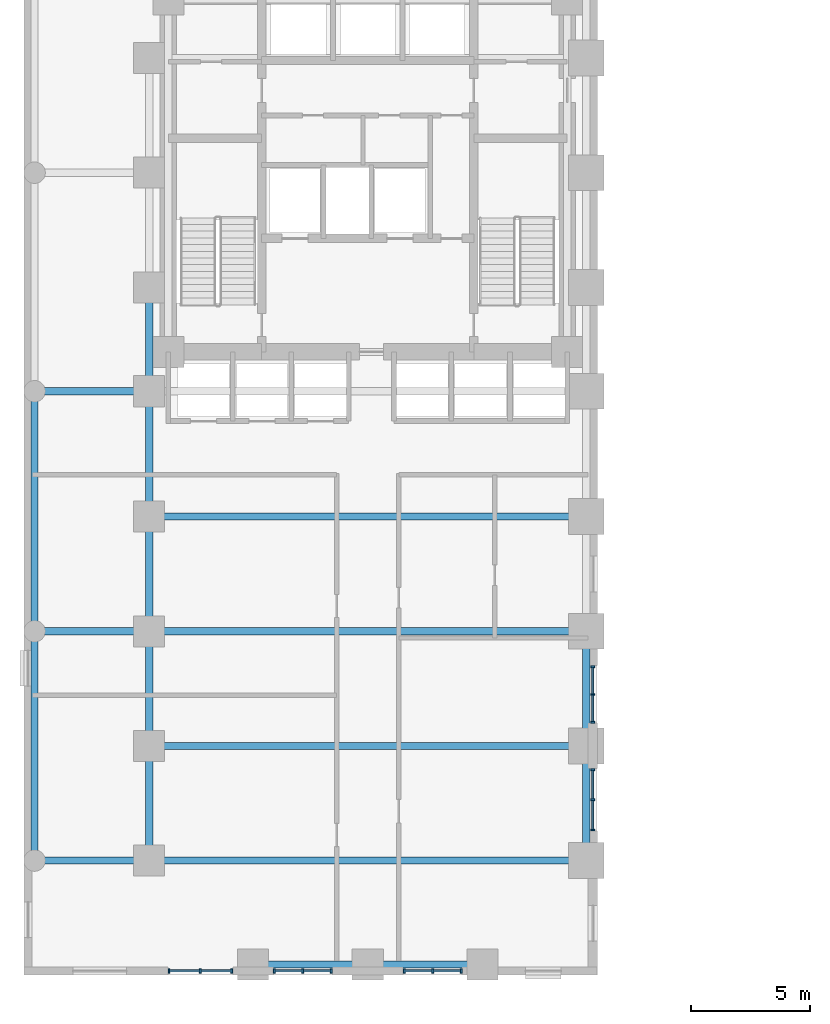
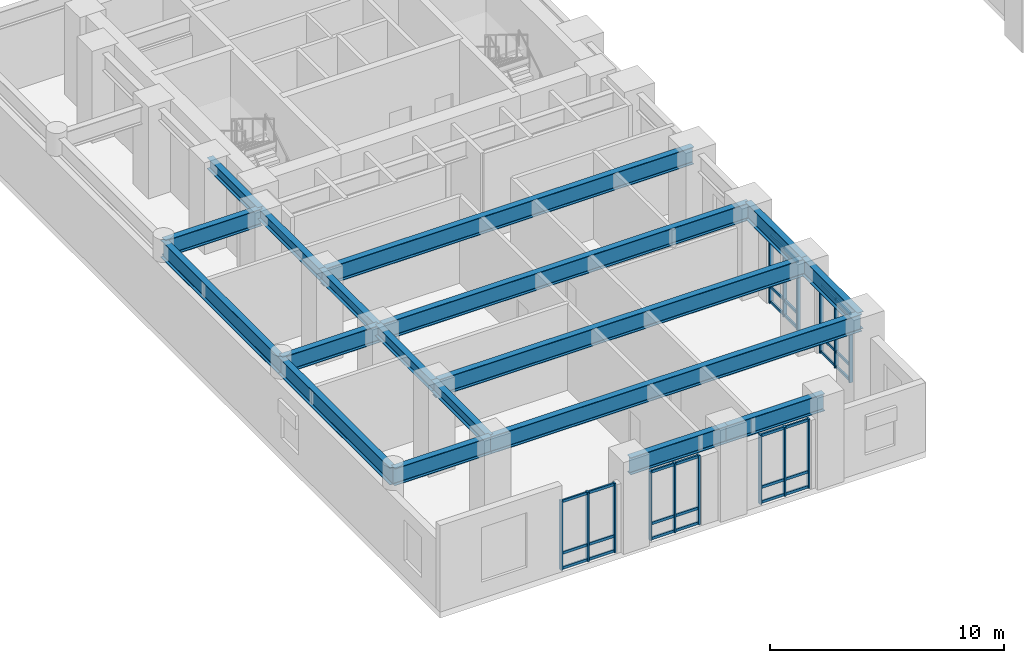
# One storey, part 2 of 11: 45 members, 18 beams, 5 elements without a shape of their own.
"""IFC4 building model written with IfcOpenShell, lengths in metres."""

from ifc_helpers import new_model, si_unit, direction, frame, origin, origin_2d, place, context, subcontext, project, spatial, rectangle, i_section, extrude, material, material_profile, profile_set, type_object, element, aggregate, save


model = new_model("IFC4")

# Units and contexts
model_context = context("Model", 3, precision=1e-05, world=origin(), true_north=direction((0.0, 1.0)))
body_context = subcontext(model_context, "Body", "Model", "MODEL_VIEW")
ifc_project = project(units=[si_unit("LENGTHUNIT", "METRE"), si_unit("AREAUNIT", "SQUARE_METRE"), si_unit("VOLUMEUNIT", "CUBIC_METRE"), si_unit("PLANEANGLEUNIT", "RADIAN"), si_unit("MASSUNIT", "GRAM", prefix="KILO")], contexts=[model_context])

# Site, building, storey
site_placement = place(None, origin())
site = spatial("IfcSite", under=ifc_project, at=site_placement, CompositionType="ELEMENT")
building_placement = place(site_placement, origin())
building = spatial("IfcBuilding", under=site, at=building_placement, Name="Orvandelia Arch Residences", CompositionType="ELEMENT")
storey_placement = place(building_placement, frame((0.0, 0.0, 5.199951171875)))
storey = spatial("IfcBuildingStorey", under=building, at=storey_placement, Name="L01", CompositionType="ELEMENT", Elevation=5.199951171875)

# Beams
ifc_material_1 = material(Name="Structural Steel HSA650 (650 MPa)", Category="steel")
ifc_material_profile_1 = material_profile(ifc_material_1, i_section(OverallWidth=0.300048828125, OverallDepth=0.89990234375, WebThickness=0.01611328125, FlangeThickness=0.028076171875, FilletRadius=0.028076171875, at=origin_2d()), Name="Structural Steel HSA650 (650 MPa)", Category="steel")
ifc_profile_set_1 = profile_set([ifc_material_profile_1], Name="Structural Steel HSA650 (650 MPa)")
beam_type_1 = type_object("IfcBeamType", Name="BM-GRD-H900", PredefinedType="BEAM", material=ifc_profile_set_1)
beam_1_placement = place(storey_placement, frame((0.449951171875, 9.60009765625, 4.070068359375), z_axis=(0.0, 1.0, 0.0), x_axis=(-1.0, 0.0, 0.0)))
element("IfcBeam", 1, at=beam_1_placement, inside=storey, type_object=beam_type_1, Name="Structural Frame Beam L01-NS-001", PredefinedType="BEAM", context=body_context, shape_type="SweptSolid", body=[
    extrude(i_section(OverallWidth=0.300048828125, OverallDepth=0.89990234375, WebThickness=0.01611328125, FlangeThickness=0.028076171875, FilletRadius=0.028076171875, at=origin_2d()), origin(), (0.0, 0.0, 1.0), 9.599853515625),
])
beam_2_placement = place(storey_placement, frame((0.449951171875, 19.199951171875, 4.070068359375), z_axis=(0.0, 1.0, 0.0), x_axis=(-1.0, 0.0, 0.0)))
element("IfcBeam", 2, at=beam_2_placement, inside=storey, type_object=beam_type_1, Name="Structural Frame Beam L01-NS-002", PredefinedType="BEAM", context=body_context, shape_type="SweptSolid", body=[
    extrude(i_section(OverallWidth=0.300048828125, OverallDepth=0.89990234375, WebThickness=0.01611328125, FlangeThickness=0.028076171875, FilletRadius=0.028076171875, at=origin_2d()), origin(), (0.0, 0.0, 1.0), 10.050048828125),
])
beam_3_placement = place(storey_placement, frame((23.550048828125, 9.60009765625, 4.070068359375), z_axis=(0.0, 1.0, 0.0), x_axis=(-1.0, 0.0, 0.0)))
element("IfcBeam", 3, at=beam_3_placement, inside=storey, type_object=beam_type_1, Name="Structural Frame Beam L01-NS-014", PredefinedType="BEAM", context=body_context, shape_type="SweptSolid", body=[
    extrude(i_section(OverallWidth=0.300048828125, OverallDepth=0.89990234375, WebThickness=0.01611328125, FlangeThickness=0.028076171875, FilletRadius=0.028076171875, at=origin_2d()), origin(), (0.0, 0.0, 1.0), 4.7998046875),
])
beam_4_placement = place(storey_placement, frame((23.550048828125, 14.39990234375, 4.070068359375), z_axis=(0.0, 1.0, 0.0), x_axis=(-1.0, 0.0, 0.0)))
element("IfcBeam", 4, at=beam_4_placement, inside=storey, type_object=beam_type_1, Name="Structural Frame Beam L01-NS-015", PredefinedType="BEAM", context=body_context, shape_type="SweptSolid", body=[
    extrude(i_section(OverallWidth=0.300048828125, OverallDepth=0.89990234375, WebThickness=0.01611328125, FlangeThickness=0.028076171875, FilletRadius=0.028076171875, at=origin_2d()), origin(), (0.0, 0.0, 1.0), 4.800048828125),
])
beam_5_placement = place(storey_placement, frame((9.60009765625, 5.25, 4.070068359375), z_axis=(1.0, 0.0, 0.0), x_axis=(0.0, 1.0, 0.0)))
element("IfcBeam", 5, at=beam_5_placement, inside=storey, type_object=beam_type_1, Name="Structural Frame Girder L01-EW-036", PredefinedType="BEAM", context=body_context, shape_type="SweptSolid", body=[
    extrude(i_section(OverallWidth=0.300048828125, OverallDepth=0.89990234375, WebThickness=0.01611328125, FlangeThickness=0.028076171875, FilletRadius=0.028076171875, at=origin_2d()), origin(), (0.0, 0.0, 1.0), 4.7998046875),
])
for number, where, z_axis, x_axis, name in (
    (6, (14.39990234375, 5.25, 4.070068359375), (1.0, 0.0, 0.0), (0.0, 1.0, 0.0), "Structural Frame Girder L01-EW-037"),
    (7, (0.449951171875, 9.60009765625, 4.070068359375), (1.0, 0.0, 0.0), (0.0, 1.0, 0.0), "Structural Frame Girder L01-EW-038"),
):
    element("IfcBeam", number, at=place(storey_placement, frame(where, z_axis=z_axis, x_axis=x_axis)), inside=storey, type_object=beam_type_1, Name=name, PredefinedType="BEAM", context=body_context, shape_type="SweptSolid", body=[
        extrude(i_section(OverallWidth=0.300048828125, OverallDepth=0.89990234375, WebThickness=0.01611328125, FlangeThickness=0.028076171875, FilletRadius=0.028076171875, at=origin_2d()), origin(), (0.0, 0.0, 1.0), 4.800048828125),
    ])
for number, where, z_axis, x_axis, name in (
    (8, (5.25, 9.60009765625, 4.070068359375), (1.0, 0.0, 0.0), (0.0, 1.0, 0.0), "Structural Frame Girder L01-EW-039"),
    (9, (5.25, 14.39990234375, 4.070068359375), (1.0, 0.0, 0.0), (0.0, 1.0, 0.0), "Structural Frame Girder L01-EW-041"),
):
    element("IfcBeam", number, at=place(storey_placement, frame(where, z_axis=z_axis, x_axis=x_axis)), inside=storey, type_object=beam_type_1, Name=name, PredefinedType="BEAM", context=body_context, shape_type="SweptSolid", body=[
        extrude(i_section(OverallWidth=0.300048828125, OverallDepth=0.89990234375, WebThickness=0.01611328125, FlangeThickness=0.028076171875, FilletRadius=0.028076171875, at=origin_2d()), origin(), (0.0, 0.0, 1.0), 18.300048828125),
    ])
beam_6_placement = place(storey_placement, frame((0.449951171875, 19.199951171875, 4.070068359375), z_axis=(1.0, 0.0, 0.0), x_axis=(0.0, 1.0, 0.0)))
element("IfcBeam", 10, at=beam_6_placement, inside=storey, type_object=beam_type_1, Name="Structural Frame Girder L01-EW-042", PredefinedType="BEAM", context=body_context, shape_type="SweptSolid", body=[
    extrude(i_section(OverallWidth=0.300048828125, OverallDepth=0.89990234375, WebThickness=0.01611328125, FlangeThickness=0.028076171875, FilletRadius=0.028076171875, at=origin_2d()), origin(), (0.0, 0.0, 1.0), 4.800048828125),
])
for number, where, z_axis, x_axis, name in (
    (11, (5.25, 19.199951171875, 4.070068359375), (1.0, 0.0, 0.0), (0.0, 1.0, 0.0), "Structural Frame Girder L01-EW-043"),
    (12, (5.25, 24.0, 4.070068359375), (1.0, 0.0, 0.0), (0.0, 1.0, 0.0), "Structural Frame Girder L01-EW-045"),
):
    element("IfcBeam", number, at=place(storey_placement, frame(where, z_axis=z_axis, x_axis=x_axis)), inside=storey, type_object=beam_type_1, Name=name, PredefinedType="BEAM", context=body_context, shape_type="SweptSolid", body=[
        extrude(i_section(OverallWidth=0.300048828125, OverallDepth=0.89990234375, WebThickness=0.01611328125, FlangeThickness=0.028076171875, FilletRadius=0.028076171875, at=origin_2d()), origin(), (0.0, 0.0, 1.0), 18.300048828125),
    ])
beam_7_placement = place(storey_placement, frame((0.449951171875, 29.25, 4.070068359375), z_axis=(1.0, 0.0, 0.0), x_axis=(0.0, 1.0, 0.0)))
element("IfcBeam", 13, at=beam_7_placement, inside=storey, type_object=beam_type_1, Name="Structural Frame Girder L01-EW-046", PredefinedType="BEAM", context=body_context, shape_type="SweptSolid", body=[
    extrude(i_section(OverallWidth=0.300048828125, OverallDepth=0.89990234375, WebThickness=0.01611328125, FlangeThickness=0.028076171875, FilletRadius=0.028076171875, at=origin_2d()), origin(), (0.0, 0.0, 1.0), 4.800048828125),
])
ifc_material_2 = material(Name="Structural Steel SM355 (355 MPa)", Category="steel")
ifc_material_profile_2 = material_profile(ifc_material_2, i_section(OverallWidth=0.300048828125, OverallDepth=0.587890625, WebThickness=0.011962890625, FlangeThickness=0.02001953125, FilletRadius=0.02197265625, at=origin_2d()), Name="Structural Steel SM355 (355 MPa)", Category="steel")
ifc_profile_set_2 = profile_set([ifc_material_profile_2], Name="Structural Steel SM355 (355 MPa)")
beam_type_2 = type_object("IfcBeamType", Name="BM-SPN-H588", PredefinedType="SPANDREL", material=ifc_profile_set_2)
beam_8_placement = place(storey_placement, frame((5.25, 9.60009765625, 4.22607421875), z_axis=(0.0, 1.0, 0.0), x_axis=(-1.0, 0.0, 0.0)))
element("IfcBeam", 14, at=beam_8_placement, inside=storey, type_object=beam_type_2, Name="Structural Frame Beam L01-NS-005", PredefinedType="SPANDREL", context=body_context, shape_type="SweptSolid", body=[
    extrude(i_section(OverallWidth=0.300048828125, OverallDepth=0.587890625, WebThickness=0.011962890625, FlangeThickness=0.02001953125, FilletRadius=0.02197265625, at=origin_2d()), origin(), (0.0, 0.0, 1.0), 4.7998046875),
])
for number, where, z_axis, x_axis, name in (
    (15, (5.25, 14.39990234375, 4.22607421875), (0.0, 1.0, 0.0), (-1.0, 0.0, 0.0), "Structural Frame Beam L01-NS-006"),
    (16, (5.25, 19.199951171875, 4.22607421875), (0.0, 1.0, 0.0), (-1.0, 0.0, 0.0), "Structural Frame Beam L01-NS-007"),
):
    element("IfcBeam", number, at=place(storey_placement, frame(where, z_axis=z_axis, x_axis=x_axis)), inside=storey, type_object=beam_type_2, Name=name, PredefinedType="SPANDREL", context=body_context, shape_type="SweptSolid", body=[
        extrude(i_section(OverallWidth=0.300048828125, OverallDepth=0.587890625, WebThickness=0.011962890625, FlangeThickness=0.02001953125, FilletRadius=0.02197265625, at=origin_2d()), origin(), (0.0, 0.0, 1.0), 4.800048828125),
    ])
beam_9_placement = place(storey_placement, frame((5.25, 24.0, 4.22607421875), z_axis=(0.0, 1.0, 0.0), x_axis=(-1.0, 0.0, 0.0)))
element("IfcBeam", 17, at=beam_9_placement, inside=storey, type_object=beam_type_2, Name="Structural Frame Beam L01-NS-008", PredefinedType="SPANDREL", context=body_context, shape_type="SweptSolid", body=[
    extrude(i_section(OverallWidth=0.300048828125, OverallDepth=0.587890625, WebThickness=0.011962890625, FlangeThickness=0.02001953125, FilletRadius=0.02197265625, at=origin_2d()), origin(), (0.0, 0.0, 1.0), 5.25),
])
beam_10_placement = place(storey_placement, frame((5.25, 29.25, 4.22607421875), z_axis=(0.0, 1.0, 0.0), x_axis=(-1.0, 0.0, 0.0)))
element("IfcBeam", 18, at=beam_10_placement, inside=storey, type_object=beam_type_2, Name="Structural Frame Beam L01-NS-009", PredefinedType="SPANDREL", context=body_context, shape_type="SweptSolid", body=[
    extrude(i_section(OverallWidth=0.300048828125, OverallDepth=0.587890625, WebThickness=0.011962890625, FlangeThickness=0.02001953125, FilletRadius=0.02197265625, at=origin_2d()), origin(), (0.0, 0.0, 1.0), 4.35009765625),
])

# Curtain wall, members
ifc_material_3 = material(Name="Anodised Bronze Curtain Wall Assembly")
curtain_wall_type_1 = type_object("IfcCurtainWallType", Name="CW-SYS1-PODIUM", PredefinedType="NOTDEFINED", material=ifc_material_3)
curtain_wall_1_placement = place(storey_placement, origin())
curtain_wall_1 = element("IfcCurtainWall", 19, at=curtain_wall_1_placement, inside=storey, type_object=curtain_wall_type_1, Name="Podium Gallery Curtain Wall L01 1", PredefinedType="NOTDEFINED")
ifc_material_4 = material(Name="Anodised Aluminium Alloy 6063-T6", Category="aluminium")
ifc_material_profile_3 = material_profile(ifc_material_4, rectangle(XDim=0.080078125, YDim=0.179931640625, at=origin_2d()), Name="Anodised Aluminium Alloy 6063-T6", Category="aluminium")
ifc_profile_set_3 = profile_set([ifc_material_profile_3], Name="Anodised Aluminium Alloy 6063-T6")
member_type_1 = type_object("IfcMemberType", Name="CW-MULLION-80x160", PredefinedType="MULLION", material=ifc_profile_set_3)
member_1_placement = place(storey_placement, frame((6.080078125, 4.97998046875, 0.0), z_axis=(0.0, 0.0, 1.0), x_axis=(1.0, 0.0, 0.0)))
member_1 = element("IfcMember", 20, at=member_1_placement, type_object=member_type_1, Name="Curtain Wall Mullion CW-L01-1-M1", PredefinedType="MULLION", context=body_context, shape_type="SweptSolid", body=[
    extrude(rectangle(XDim=0.080078125, YDim=0.179931640625, at=origin_2d()), origin(), (0.0, 0.0, 1.0), 3.6201171875),
])
member_2_placement = place(storey_placement, frame((7.39501953125, 4.97998046875, 0.0), z_axis=(0.0, 0.0, 1.0), x_axis=(1.0, 0.0, 0.0)))
member_2 = element("IfcMember", 21, at=member_2_placement, type_object=member_type_1, Name="Curtain Wall Mullion CW-L01-1-M2", PredefinedType="MULLION", context=body_context, shape_type="SweptSolid", body=[
    extrude(rectangle(XDim=0.080078125, YDim=0.179931640625, at=origin_2d()), origin(), (0.0, 0.0, 1.0), 3.6201171875),
])
member_3_placement = place(storey_placement, frame((8.7099609375, 4.97998046875, 0.0), z_axis=(0.0, 0.0, 1.0), x_axis=(1.0, 0.0, 0.0)))
member_3 = element("IfcMember", 22, at=member_3_placement, type_object=member_type_1, Name="Curtain Wall Mullion CW-L01-1-M3", PredefinedType="MULLION", context=body_context, shape_type="SweptSolid", body=[
    extrude(rectangle(XDim=0.080078125, YDim=0.179931640625, at=origin_2d()), origin(), (0.0, 0.0, 1.0), 3.6201171875),
])

curtain_wall_2_placement = place(storey_placement, origin())
curtain_wall_2 = element("IfcCurtainWall", 23, at=curtain_wall_2_placement, inside=storey, type_object=curtain_wall_type_1, Name="Podium Gallery Curtain Wall L01 2", PredefinedType="NOTDEFINED")
member_4_placement = place(storey_placement, frame((10.489990234375, 4.97998046875, 0.0), z_axis=(0.0, 0.0, 1.0), x_axis=(1.0, 0.0, 0.0)))
member_4 = element("IfcMember", 24, at=member_4_placement, type_object=member_type_1, Name="Curtain Wall Mullion CW-L01-2-M1", PredefinedType="MULLION", context=body_context, shape_type="SweptSolid", body=[
    extrude(rectangle(XDim=0.080078125, YDim=0.179931640625, at=origin_2d()), origin(), (0.0, 0.0, 1.0), 3.6201171875),
])
member_5_placement = place(storey_placement, frame((11.68505859375, 4.97998046875, 0.0), z_axis=(0.0, 0.0, 1.0), x_axis=(1.0, 0.0, 0.0)))
member_5 = element("IfcMember", 25, at=member_5_placement, type_object=member_type_1, Name="Curtain Wall Mullion CW-L01-2-M2", PredefinedType="MULLION", context=body_context, shape_type="SweptSolid", body=[
    extrude(rectangle(XDim=0.080078125, YDim=0.179931640625, at=origin_2d()), origin(), (0.0, 0.0, 1.0), 3.6201171875),
])
member_6_placement = place(storey_placement, frame((12.8798828125, 4.97998046875, 0.0), z_axis=(0.0, 0.0, 1.0), x_axis=(1.0, 0.0, 0.0)))
member_6 = element("IfcMember", 26, at=member_6_placement, type_object=member_type_1, Name="Curtain Wall Mullion CW-L01-2-M3", PredefinedType="MULLION", context=body_context, shape_type="SweptSolid", body=[
    extrude(rectangle(XDim=0.080078125, YDim=0.179931640625, at=origin_2d()), origin(), (0.0, 0.0, 1.0), 3.6201171875),
])

curtain_wall_3_placement = place(storey_placement, origin())
curtain_wall_3 = element("IfcCurtainWall", 27, at=curtain_wall_3_placement, inside=storey, type_object=curtain_wall_type_1, Name="Podium Gallery Curtain Wall L01 3", PredefinedType="NOTDEFINED")
member_7_placement = place(storey_placement, frame((15.919921875, 4.97998046875, 0.0), z_axis=(0.0, 0.0, 1.0), x_axis=(1.0, 0.0, 0.0)))
member_7 = element("IfcMember", 28, at=member_7_placement, type_object=member_type_1, Name="Curtain Wall Mullion CW-L01-3-M1", PredefinedType="MULLION", context=body_context, shape_type="SweptSolid", body=[
    extrude(rectangle(XDim=0.080078125, YDim=0.179931640625, at=origin_2d()), origin(), (0.0, 0.0, 1.0), 3.6201171875),
])
member_8_placement = place(storey_placement, frame((17.114990234375, 4.97998046875, 0.0), z_axis=(0.0, 0.0, 1.0), x_axis=(1.0, 0.0, 0.0)))
member_8 = element("IfcMember", 29, at=member_8_placement, type_object=member_type_1, Name="Curtain Wall Mullion CW-L01-3-M2", PredefinedType="MULLION", context=body_context, shape_type="SweptSolid", body=[
    extrude(rectangle(XDim=0.080078125, YDim=0.179931640625, at=origin_2d()), origin(), (0.0, 0.0, 1.0), 3.6201171875),
])
member_9_placement = place(storey_placement, frame((18.31005859375, 4.97998046875, 0.0), z_axis=(0.0, 0.0, 1.0), x_axis=(1.0, 0.0, 0.0)))
member_9 = element("IfcMember", 30, at=member_9_placement, type_object=member_type_1, Name="Curtain Wall Mullion CW-L01-3-M3", PredefinedType="MULLION", context=body_context, shape_type="SweptSolid", body=[
    extrude(rectangle(XDim=0.080078125, YDim=0.179931640625, at=origin_2d()), origin(), (0.0, 0.0, 1.0), 3.6201171875),
])

curtain_wall_type_2 = type_object("IfcCurtainWallType", Name="CW-SYS2-ARCH", PredefinedType="NOTDEFINED", material=ifc_material_3)
curtain_wall_4_placement = place(storey_placement, origin())
curtain_wall_4 = element("IfcCurtainWall", 31, at=curtain_wall_4_placement, inside=storey, type_object=curtain_wall_type_2, Name="Arch West Cheek Glazing L01 4", PredefinedType="NOTDEFINED")
member_10_placement = place(storey_placement, frame((23.820068359375, 10.8798828125, 0.0), z_axis=(0.0, 0.0, 1.0), x_axis=(0.0, 1.0, 0.0)))
member_10 = element("IfcMember", 32, at=member_10_placement, type_object=member_type_1, Name="Curtain Wall Mullion CW-L01-4-M1", PredefinedType="MULLION", context=body_context, shape_type="SweptSolid", body=[
    extrude(rectangle(XDim=0.080078125, YDim=0.179931640625, at=origin_2d()), origin(), (0.0, 0.0, 1.0), 3.6201171875),
])
member_11_placement = place(storey_placement, frame((23.820068359375, 12.14501953125, 0.0), z_axis=(0.0, 0.0, 1.0), x_axis=(0.0, 1.0, 0.0)))
member_11 = element("IfcMember", 33, at=member_11_placement, type_object=member_type_1, Name="Curtain Wall Mullion CW-L01-4-M2", PredefinedType="MULLION", context=body_context, shape_type="SweptSolid", body=[
    extrude(rectangle(XDim=0.080078125, YDim=0.179931640625, at=origin_2d()), origin(), (0.0, 0.0, 1.0), 3.6201171875),
])
member_12_placement = place(storey_placement, frame((23.820068359375, 13.409912109375, 0.0), z_axis=(0.0, 0.0, 1.0), x_axis=(0.0, 1.0, 0.0)))
member_12 = element("IfcMember", 34, at=member_12_placement, type_object=member_type_1, Name="Curtain Wall Mullion CW-L01-4-M3", PredefinedType="MULLION", context=body_context, shape_type="SweptSolid", body=[
    extrude(rectangle(XDim=0.080078125, YDim=0.179931640625, at=origin_2d()), origin(), (0.0, 0.0, 1.0), 3.6201171875),
])

curtain_wall_5_placement = place(storey_placement, origin())
curtain_wall_5 = element("IfcCurtainWall", 35, at=curtain_wall_5_placement, inside=storey, type_object=curtain_wall_type_2, Name="Arch West Cheek Glazing L01 5", PredefinedType="NOTDEFINED")
member_13_placement = place(storey_placement, frame((23.820068359375, 15.389892578125, 0.0), z_axis=(0.0, 0.0, 1.0), x_axis=(0.0, 1.0, 0.0)))
member_13 = element("IfcMember", 36, at=member_13_placement, type_object=member_type_1, Name="Curtain Wall Mullion CW-L01-5-M1", PredefinedType="MULLION", context=body_context, shape_type="SweptSolid", body=[
    extrude(rectangle(XDim=0.080078125, YDim=0.179931640625, at=origin_2d()), origin(), (0.0, 0.0, 1.0), 3.6201171875),
])
member_14_placement = place(storey_placement, frame((23.820068359375, 16.554931640625, 0.0), z_axis=(0.0, 0.0, 1.0), x_axis=(0.0, 1.0, 0.0)))
member_14 = element("IfcMember", 37, at=member_14_placement, type_object=member_type_1, Name="Curtain Wall Mullion CW-L01-5-M2", PredefinedType="MULLION", context=body_context, shape_type="SweptSolid", body=[
    extrude(rectangle(XDim=0.080078125, YDim=0.179931640625, at=origin_2d()), origin(), (0.0, 0.0, 1.0), 3.6201171875),
])
member_15_placement = place(storey_placement, frame((23.820068359375, 17.719970703125, 0.0), z_axis=(0.0, 0.0, 1.0), x_axis=(0.0, 1.0, 0.0)))
member_15 = element("IfcMember", 38, at=member_15_placement, type_object=member_type_1, Name="Curtain Wall Mullion CW-L01-5-M3", PredefinedType="MULLION", context=body_context, shape_type="SweptSolid", body=[
    extrude(rectangle(XDim=0.080078125, YDim=0.179931640625, at=origin_2d()), origin(), (0.0, 0.0, 1.0), 3.6201171875),
])

# Member
ifc_material_profile_4 = material_profile(ifc_material_4, rectangle(XDim=0.080078125, YDim=0.139892578125, at=origin_2d()), Name="Anodised Aluminium Alloy 6063-T6", Category="aluminium")
ifc_profile_set_4 = profile_set([ifc_material_profile_4], Name="Anodised Aluminium Alloy 6063-T6")
member_type_2 = type_object("IfcMemberType", Name="CW-TRANSOM-80x140", PredefinedType="USERDEFINED", material=ifc_profile_set_4)
member_16_placement = place(storey_placement, frame((6.10498046875, 4.97998046875, 0.070068359375), z_axis=(1.0, 0.0, 0.0), x_axis=(0.0, 1.0, 0.0)))
member_16 = element("IfcMember", 39, at=member_16_placement, type_object=member_type_2, Name="Curtain Wall Transom CW-L01-1-T1-1", ObjectType="TRANSOM", PredefinedType="USERDEFINED", context=body_context, shape_type="SweptSolid", body=[
    extrude(rectangle(XDim=0.080078125, YDim=0.139892578125, at=origin_2d()), origin(), (0.0, 0.0, 1.0), 1.26513671875),
])

member_17_placement = place(storey_placement, frame((6.10498046875, 4.97998046875, 0.85009765625), z_axis=(1.0, 0.0, 0.0), x_axis=(0.0, 1.0, 0.0)))
member_17 = element("IfcMember", 40, at=member_17_placement, type_object=member_type_2, Name="Curtain Wall Transom CW-L01-1-T1-2", ObjectType="TRANSOM", PredefinedType="USERDEFINED", context=body_context, shape_type="SweptSolid", body=[
    extrude(rectangle(XDim=0.080078125, YDim=0.139892578125, at=origin_2d()), origin(), (0.0, 0.0, 1.0), 1.26513671875),
])

member_18_placement = place(storey_placement, frame((6.10498046875, 4.97998046875, 3.550048828125), z_axis=(1.0, 0.0, 0.0), x_axis=(0.0, 1.0, 0.0)))
member_18 = element("IfcMember", 41, at=member_18_placement, type_object=member_type_2, Name="Curtain Wall Transom CW-L01-1-T1-3", ObjectType="TRANSOM", PredefinedType="USERDEFINED", context=body_context, shape_type="SweptSolid", body=[
    extrude(rectangle(XDim=0.080078125, YDim=0.139892578125, at=origin_2d()), origin(), (0.0, 0.0, 1.0), 1.26513671875),
])

member_19_placement = place(storey_placement, frame((7.419921875, 4.97998046875, 0.070068359375), z_axis=(1.0, 0.0, 0.0), x_axis=(0.0, 1.0, 0.0)))
member_19 = element("IfcMember", 42, at=member_19_placement, type_object=member_type_2, Name="Curtain Wall Transom CW-L01-1-T2-1", ObjectType="TRANSOM", PredefinedType="USERDEFINED", context=body_context, shape_type="SweptSolid", body=[
    extrude(rectangle(XDim=0.080078125, YDim=0.139892578125, at=origin_2d()), origin(), (0.0, 0.0, 1.0), 1.26513671875),
])

member_20_placement = place(storey_placement, frame((7.419921875, 4.97998046875, 0.85009765625), z_axis=(1.0, 0.0, 0.0), x_axis=(0.0, 1.0, 0.0)))
member_20 = element("IfcMember", 43, at=member_20_placement, type_object=member_type_2, Name="Curtain Wall Transom CW-L01-1-T2-2", ObjectType="TRANSOM", PredefinedType="USERDEFINED", context=body_context, shape_type="SweptSolid", body=[
    extrude(rectangle(XDim=0.080078125, YDim=0.139892578125, at=origin_2d()), origin(), (0.0, 0.0, 1.0), 1.26513671875),
])

member_21_placement = place(storey_placement, frame((7.419921875, 4.97998046875, 3.550048828125), z_axis=(1.0, 0.0, 0.0), x_axis=(0.0, 1.0, 0.0)))
member_21 = element("IfcMember", 44, at=member_21_placement, type_object=member_type_2, Name="Curtain Wall Transom CW-L01-1-T2-3", ObjectType="TRANSOM", PredefinedType="USERDEFINED", context=body_context, shape_type="SweptSolid", body=[
    extrude(rectangle(XDim=0.080078125, YDim=0.139892578125, at=origin_2d()), origin(), (0.0, 0.0, 1.0), 1.26513671875),
])

aggregate(curtain_wall_1, [member_1, member_2, member_3, member_16, member_17, member_18, member_19, member_20, member_21])

member_22_placement = place(storey_placement, frame((10.514892578125, 4.97998046875, 0.070068359375), z_axis=(1.0, 0.0, 0.0), x_axis=(0.0, 1.0, 0.0)))
member_22 = element("IfcMember", 45, at=member_22_placement, type_object=member_type_2, Name="Curtain Wall Transom CW-L01-2-T1-1", ObjectType="TRANSOM", PredefinedType="USERDEFINED", context=body_context, shape_type="SweptSolid", body=[
    extrude(rectangle(XDim=0.080078125, YDim=0.139892578125, at=origin_2d()), origin(), (0.0, 0.0, 1.0), 1.14501953125),
])

member_23_placement = place(storey_placement, frame((10.514892578125, 4.97998046875, 0.85009765625), z_axis=(1.0, 0.0, 0.0), x_axis=(0.0, 1.0, 0.0)))
member_23 = element("IfcMember", 46, at=member_23_placement, type_object=member_type_2, Name="Curtain Wall Transom CW-L01-2-T1-2", ObjectType="TRANSOM", PredefinedType="USERDEFINED", context=body_context, shape_type="SweptSolid", body=[
    extrude(rectangle(XDim=0.080078125, YDim=0.139892578125, at=origin_2d()), origin(), (0.0, 0.0, 1.0), 1.14501953125),
])

member_24_placement = place(storey_placement, frame((10.514892578125, 4.97998046875, 3.550048828125), z_axis=(1.0, 0.0, 0.0), x_axis=(0.0, 1.0, 0.0)))
member_24 = element("IfcMember", 47, at=member_24_placement, type_object=member_type_2, Name="Curtain Wall Transom CW-L01-2-T1-3", ObjectType="TRANSOM", PredefinedType="USERDEFINED", context=body_context, shape_type="SweptSolid", body=[
    extrude(rectangle(XDim=0.080078125, YDim=0.139892578125, at=origin_2d()), origin(), (0.0, 0.0, 1.0), 1.14501953125),
])

member_25_placement = place(storey_placement, frame((11.7099609375, 4.97998046875, 0.070068359375), z_axis=(1.0, 0.0, 0.0), x_axis=(0.0, 1.0, 0.0)))
member_25 = element("IfcMember", 48, at=member_25_placement, type_object=member_type_2, Name="Curtain Wall Transom CW-L01-2-T2-1", ObjectType="TRANSOM", PredefinedType="USERDEFINED", context=body_context, shape_type="SweptSolid", body=[
    extrude(rectangle(XDim=0.080078125, YDim=0.139892578125, at=origin_2d()), origin(), (0.0, 0.0, 1.0), 1.14501953125),
])

member_26_placement = place(storey_placement, frame((11.7099609375, 4.97998046875, 0.85009765625), z_axis=(1.0, 0.0, 0.0), x_axis=(0.0, 1.0, 0.0)))
member_26 = element("IfcMember", 49, at=member_26_placement, type_object=member_type_2, Name="Curtain Wall Transom CW-L01-2-T2-2", ObjectType="TRANSOM", PredefinedType="USERDEFINED", context=body_context, shape_type="SweptSolid", body=[
    extrude(rectangle(XDim=0.080078125, YDim=0.139892578125, at=origin_2d()), origin(), (0.0, 0.0, 1.0), 1.14501953125),
])

member_27_placement = place(storey_placement, frame((11.7099609375, 4.97998046875, 3.550048828125), z_axis=(1.0, 0.0, 0.0), x_axis=(0.0, 1.0, 0.0)))
member_27 = element("IfcMember", 50, at=member_27_placement, type_object=member_type_2, Name="Curtain Wall Transom CW-L01-2-T2-3", ObjectType="TRANSOM", PredefinedType="USERDEFINED", context=body_context, shape_type="SweptSolid", body=[
    extrude(rectangle(XDim=0.080078125, YDim=0.139892578125, at=origin_2d()), origin(), (0.0, 0.0, 1.0), 1.14501953125),
])

aggregate(curtain_wall_2, [member_4, member_5, member_6, member_22, member_23, member_24, member_25, member_26, member_27])

member_28_placement = place(storey_placement, frame((15.945068359375, 4.97998046875, 0.070068359375), z_axis=(1.0, 0.0, 0.0), x_axis=(0.0, 1.0, 0.0)))
member_28 = element("IfcMember", 51, at=member_28_placement, type_object=member_type_2, Name="Curtain Wall Transom CW-L01-3-T1-1", ObjectType="TRANSOM", PredefinedType="USERDEFINED", context=body_context, shape_type="SweptSolid", body=[
    extrude(rectangle(XDim=0.080078125, YDim=0.139892578125, at=origin_2d()), origin(), (0.0, 0.0, 1.0), 1.14501953125),
])

member_29_placement = place(storey_placement, frame((15.945068359375, 4.97998046875, 0.85009765625), z_axis=(1.0, 0.0, 0.0), x_axis=(0.0, 1.0, 0.0)))
member_29 = element("IfcMember", 52, at=member_29_placement, type_object=member_type_2, Name="Curtain Wall Transom CW-L01-3-T1-2", ObjectType="TRANSOM", PredefinedType="USERDEFINED", context=body_context, shape_type="SweptSolid", body=[
    extrude(rectangle(XDim=0.080078125, YDim=0.139892578125, at=origin_2d()), origin(), (0.0, 0.0, 1.0), 1.14501953125),
])

member_30_placement = place(storey_placement, frame((15.945068359375, 4.97998046875, 3.550048828125), z_axis=(1.0, 0.0, 0.0), x_axis=(0.0, 1.0, 0.0)))
member_30 = element("IfcMember", 53, at=member_30_placement, type_object=member_type_2, Name="Curtain Wall Transom CW-L01-3-T1-3", ObjectType="TRANSOM", PredefinedType="USERDEFINED", context=body_context, shape_type="SweptSolid", body=[
    extrude(rectangle(XDim=0.080078125, YDim=0.139892578125, at=origin_2d()), origin(), (0.0, 0.0, 1.0), 1.14501953125),
])

member_31_placement = place(storey_placement, frame((17.139892578125, 4.97998046875, 0.070068359375), z_axis=(1.0, 0.0, 0.0), x_axis=(0.0, 1.0, 0.0)))
member_31 = element("IfcMember", 54, at=member_31_placement, type_object=member_type_2, Name="Curtain Wall Transom CW-L01-3-T2-1", ObjectType="TRANSOM", PredefinedType="USERDEFINED", context=body_context, shape_type="SweptSolid", body=[
    extrude(rectangle(XDim=0.080078125, YDim=0.139892578125, at=origin_2d()), origin(), (0.0, 0.0, 1.0), 1.14501953125),
])

member_32_placement = place(storey_placement, frame((17.139892578125, 4.97998046875, 0.85009765625), z_axis=(1.0, 0.0, 0.0), x_axis=(0.0, 1.0, 0.0)))
member_32 = element("IfcMember", 55, at=member_32_placement, type_object=member_type_2, Name="Curtain Wall Transom CW-L01-3-T2-2", ObjectType="TRANSOM", PredefinedType="USERDEFINED", context=body_context, shape_type="SweptSolid", body=[
    extrude(rectangle(XDim=0.080078125, YDim=0.139892578125, at=origin_2d()), origin(), (0.0, 0.0, 1.0), 1.14501953125),
])

member_33_placement = place(storey_placement, frame((17.139892578125, 4.97998046875, 3.550048828125), z_axis=(1.0, 0.0, 0.0), x_axis=(0.0, 1.0, 0.0)))
member_33 = element("IfcMember", 56, at=member_33_placement, type_object=member_type_2, Name="Curtain Wall Transom CW-L01-3-T2-3", ObjectType="TRANSOM", PredefinedType="USERDEFINED", context=body_context, shape_type="SweptSolid", body=[
    extrude(rectangle(XDim=0.080078125, YDim=0.139892578125, at=origin_2d()), origin(), (0.0, 0.0, 1.0), 1.14501953125),
])

aggregate(curtain_wall_3, [member_7, member_8, member_9, member_28, member_29, member_30, member_31, member_32, member_33])

member_34_placement = place(storey_placement, frame((23.820068359375, 10.905029296875, 0.070068359375), z_axis=(0.0, 1.0, 0.0), x_axis=(-1.0, 0.0, 0.0)))
member_34 = element("IfcMember", 57, at=member_34_placement, type_object=member_type_2, Name="Curtain Wall Transom CW-L01-4-T1-1", ObjectType="TRANSOM", PredefinedType="USERDEFINED", context=body_context, shape_type="SweptSolid", body=[
    extrude(rectangle(XDim=0.080078125, YDim=0.139892578125, at=origin_2d()), origin(), (0.0, 0.0, 1.0), 1.215087890625),
])

member_35_placement = place(storey_placement, frame((23.820068359375, 10.905029296875, 0.85009765625), z_axis=(0.0, 1.0, 0.0), x_axis=(-1.0, 0.0, 0.0)))
member_35 = element("IfcMember", 58, at=member_35_placement, type_object=member_type_2, Name="Curtain Wall Transom CW-L01-4-T1-2", ObjectType="TRANSOM", PredefinedType="USERDEFINED", context=body_context, shape_type="SweptSolid", body=[
    extrude(rectangle(XDim=0.080078125, YDim=0.139892578125, at=origin_2d()), origin(), (0.0, 0.0, 1.0), 1.215087890625),
])

member_36_placement = place(storey_placement, frame((23.820068359375, 10.905029296875, 3.550048828125), z_axis=(0.0, 1.0, 0.0), x_axis=(-1.0, 0.0, 0.0)))
member_36 = element("IfcMember", 59, at=member_36_placement, type_object=member_type_2, Name="Curtain Wall Transom CW-L01-4-T1-3", ObjectType="TRANSOM", PredefinedType="USERDEFINED", context=body_context, shape_type="SweptSolid", body=[
    extrude(rectangle(XDim=0.080078125, YDim=0.139892578125, at=origin_2d()), origin(), (0.0, 0.0, 1.0), 1.215087890625),
])

member_37_placement = place(storey_placement, frame((23.820068359375, 12.169921875, 0.070068359375), z_axis=(0.0, 1.0, 0.0), x_axis=(-1.0, 0.0, 0.0)))
member_37 = element("IfcMember", 60, at=member_37_placement, type_object=member_type_2, Name="Curtain Wall Transom CW-L01-4-T2-1", ObjectType="TRANSOM", PredefinedType="USERDEFINED", context=body_context, shape_type="SweptSolid", body=[
    extrude(rectangle(XDim=0.080078125, YDim=0.139892578125, at=origin_2d()), origin(), (0.0, 0.0, 1.0), 1.215087890625),
])

member_38_placement = place(storey_placement, frame((23.820068359375, 12.169921875, 0.85009765625), z_axis=(0.0, 1.0, 0.0), x_axis=(-1.0, 0.0, 0.0)))
member_38 = element("IfcMember", 61, at=member_38_placement, type_object=member_type_2, Name="Curtain Wall Transom CW-L01-4-T2-2", ObjectType="TRANSOM", PredefinedType="USERDEFINED", context=body_context, shape_type="SweptSolid", body=[
    extrude(rectangle(XDim=0.080078125, YDim=0.139892578125, at=origin_2d()), origin(), (0.0, 0.0, 1.0), 1.215087890625),
])

member_39_placement = place(storey_placement, frame((23.820068359375, 12.169921875, 3.550048828125), z_axis=(0.0, 1.0, 0.0), x_axis=(-1.0, 0.0, 0.0)))
member_39 = element("IfcMember", 62, at=member_39_placement, type_object=member_type_2, Name="Curtain Wall Transom CW-L01-4-T2-3", ObjectType="TRANSOM", PredefinedType="USERDEFINED", context=body_context, shape_type="SweptSolid", body=[
    extrude(rectangle(XDim=0.080078125, YDim=0.139892578125, at=origin_2d()), origin(), (0.0, 0.0, 1.0), 1.215087890625),
])

aggregate(curtain_wall_4, [member_10, member_11, member_12, member_34, member_35, member_36, member_37, member_38, member_39])

member_40_placement = place(storey_placement, frame((23.820068359375, 15.4150390625, 0.070068359375), z_axis=(0.0, 1.0, 0.0), x_axis=(-1.0, 0.0, 0.0)))
member_40 = element("IfcMember", 63, at=member_40_placement, type_object=member_type_2, Name="Curtain Wall Transom CW-L01-5-T1-1", ObjectType="TRANSOM", PredefinedType="USERDEFINED", context=body_context, shape_type="SweptSolid", body=[
    extrude(rectangle(XDim=0.080078125, YDim=0.139892578125, at=origin_2d()), origin(), (0.0, 0.0, 1.0), 1.114990234375),
])

member_41_placement = place(storey_placement, frame((23.820068359375, 15.4150390625, 0.85009765625), z_axis=(0.0, 1.0, 0.0), x_axis=(-1.0, 0.0, 0.0)))
member_41 = element("IfcMember", 64, at=member_41_placement, type_object=member_type_2, Name="Curtain Wall Transom CW-L01-5-T1-2", ObjectType="TRANSOM", PredefinedType="USERDEFINED", context=body_context, shape_type="SweptSolid", body=[
    extrude(rectangle(XDim=0.080078125, YDim=0.139892578125, at=origin_2d()), origin(), (0.0, 0.0, 1.0), 1.114990234375),
])

member_42_placement = place(storey_placement, frame((23.820068359375, 15.4150390625, 3.550048828125), z_axis=(0.0, 1.0, 0.0), x_axis=(-1.0, 0.0, 0.0)))
member_42 = element("IfcMember", 65, at=member_42_placement, type_object=member_type_2, Name="Curtain Wall Transom CW-L01-5-T1-3", ObjectType="TRANSOM", PredefinedType="USERDEFINED", context=body_context, shape_type="SweptSolid", body=[
    extrude(rectangle(XDim=0.080078125, YDim=0.139892578125, at=origin_2d()), origin(), (0.0, 0.0, 1.0), 1.114990234375),
])

member_43_placement = place(storey_placement, frame((23.820068359375, 16.580078125, 0.070068359375), z_axis=(0.0, 1.0, 0.0), x_axis=(-1.0, 0.0, 0.0)))
member_43 = element("IfcMember", 66, at=member_43_placement, type_object=member_type_2, Name="Curtain Wall Transom CW-L01-5-T2-1", ObjectType="TRANSOM", PredefinedType="USERDEFINED", context=body_context, shape_type="SweptSolid", body=[
    extrude(rectangle(XDim=0.080078125, YDim=0.139892578125, at=origin_2d()), origin(), (0.0, 0.0, 1.0), 1.114990234375),
])

member_44_placement = place(storey_placement, frame((23.820068359375, 16.580078125, 0.85009765625), z_axis=(0.0, 1.0, 0.0), x_axis=(-1.0, 0.0, 0.0)))
member_44 = element("IfcMember", 67, at=member_44_placement, type_object=member_type_2, Name="Curtain Wall Transom CW-L01-5-T2-2", ObjectType="TRANSOM", PredefinedType="USERDEFINED", context=body_context, shape_type="SweptSolid", body=[
    extrude(rectangle(XDim=0.080078125, YDim=0.139892578125, at=origin_2d()), origin(), (0.0, 0.0, 1.0), 1.114990234375),
])

member_45_placement = place(storey_placement, frame((23.820068359375, 16.580078125, 3.550048828125), z_axis=(0.0, 1.0, 0.0), x_axis=(-1.0, 0.0, 0.0)))
member_45 = element("IfcMember", 68, at=member_45_placement, type_object=member_type_2, Name="Curtain Wall Transom CW-L01-5-T2-3", ObjectType="TRANSOM", PredefinedType="USERDEFINED", context=body_context, shape_type="SweptSolid", body=[
    extrude(rectangle(XDim=0.080078125, YDim=0.139892578125, at=origin_2d()), origin(), (0.0, 0.0, 1.0), 1.114990234375),
])

aggregate(curtain_wall_5, [member_13, member_14, member_15, member_40, member_41, member_42, member_43, member_44, member_45])

save(model, "model.ifc")
